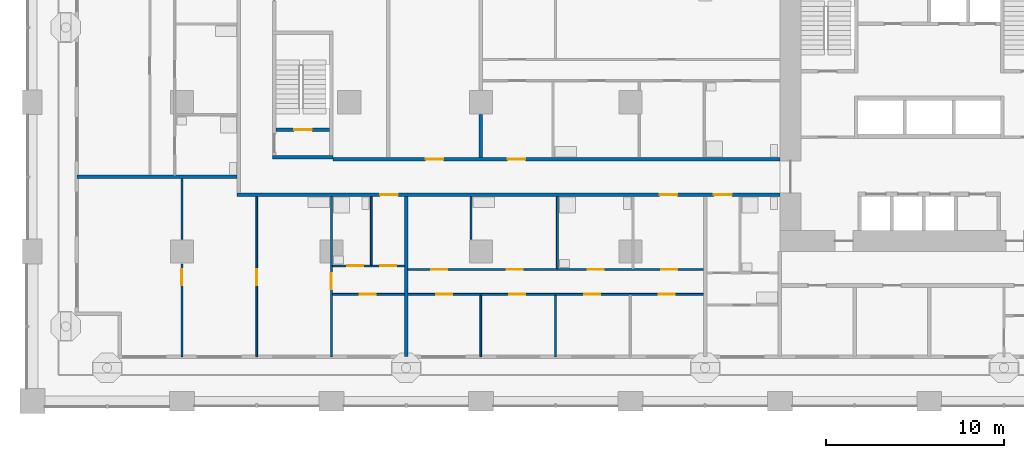
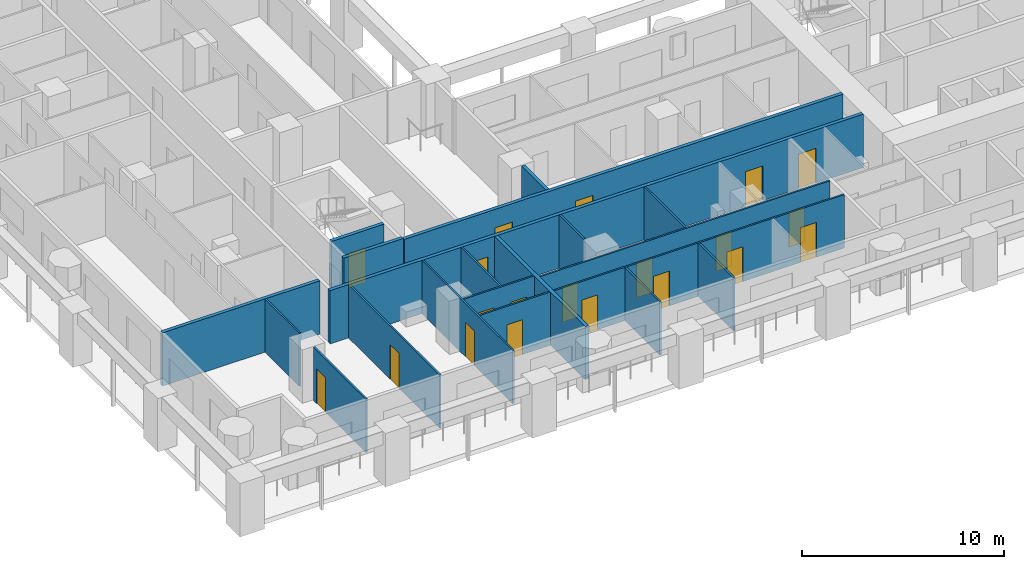
# One storey, part 2 of 19: 20 doors, 19 walls, 20 openings.
"""IFC4 building model written with IfcOpenShell, lengths in metres."""

from ifc_helpers import new_model, si_unit, direction, frame, frame_2d, origin, place, context, subcontext, project, spatial, rectangle, extrude, material, layer, layer_set, type_object, element, fill, save


model = new_model("IFC4")

# Units and contexts
model_context = context("Model", 3, precision=1e-05, world=origin(), true_north=direction((0.0, 1.0)))
body_context = subcontext(model_context, "Body", "Model", "MODEL_VIEW")
ifc_project = project(units=[si_unit("LENGTHUNIT", "METRE"), si_unit("AREAUNIT", "SQUARE_METRE"), si_unit("VOLUMEUNIT", "CUBIC_METRE"), si_unit("PLANEANGLEUNIT", "RADIAN"), si_unit("MASSUNIT", "GRAM", prefix="KILO")], contexts=[model_context])

# Site, building, storey
site_placement = place(None, origin())
site = spatial("IfcSite", under=ifc_project, at=site_placement, CompositionType="ELEMENT")
building_placement = place(site_placement, origin())
building = spatial("IfcBuilding", under=site, at=building_placement, Name="Vermilion Gate Residences", CompositionType="ELEMENT")
storey_placement = place(building_placement, frame((0.0, 0.0, 28.699951171875)))
storey = spatial("IfcBuildingStorey", under=building, at=storey_placement, Name="L05", CompositionType="ELEMENT", Elevation=28.699951171875)

# Wall, openings, doors
ifc_material_1 = material(Name="Plasterboard on steel studs", Category="steel")
ifc_layer_1 = layer(ifc_material_1, 0.10009765625)
ifc_layer_set_1 = layer_set([ifc_layer_1], Name="PARTITION 100")
wall_type_1 = type_object("IfcWallType", Name="PARTITION 100", PredefinedType="PARTITIONING", material=ifc_layer_set_1)
wall_1_placement = place(storey_placement, frame((16.85009765625, 6.0, 0.0), z_axis=(0.0, 0.0, 1.0), x_axis=(1.0, 0.0, 0.0)))
wall_1 = element("IfcWall", 1, at=wall_1_placement, inside=storey, type_object=wall_type_1, Name="Partition", PredefinedType="PARTITIONING", context=body_context, shape_type="SweptSolid", body=[
    extrude(rectangle(XDim=20.849853515625, YDim=0.10009765625, at=frame_2d((10.4248046875, 0.0))), origin(), (0.0, 0.0, 1.0), 3.219970703125),
])
opening_1_placement = place(wall_1_placement, frame((1.550048828125, 0.0, 0.0)))
opening_1 = element("IfcOpeningElement", 2, at=opening_1_placement, cuts=wall_1, Name="Opening DA04004", PredefinedType="OPENING", context=body_context, shape_type="SweptSolid", body=[
    extrude(rectangle(XDim=0.89990234375, YDim=2.10009765625, at=frame_2d((0.449951171875, 1.050048828125))), frame((0.0, 0.06005859375, 0.0), z_axis=(0.0, -1.0, 0.0), x_axis=(1.0, 0.0, 0.0)), (0.0, 0.0, 1.0), 0.1201171875),
])
opening_2_placement = place(wall_1_placement, frame((5.85009765625, 0.0, 0.0)))
opening_2 = element("IfcOpeningElement", 3, at=opening_2_placement, cuts=wall_1, Name="Opening DA04005", PredefinedType="OPENING", context=body_context, shape_type="SweptSolid", body=[
    extrude(rectangle(XDim=0.89990234375, YDim=2.10009765625, at=frame_2d((0.449951171875, 1.050048828125))), frame((0.0, 0.06005859375, 0.0), z_axis=(0.0, -1.0, 0.0), x_axis=(1.0, 0.0, 0.0)), (0.0, 0.0, 1.0), 0.1201171875),
])
opening_3_placement = place(wall_1_placement, frame((9.949951171875, 0.0, 0.0)))
opening_3 = element("IfcOpeningElement", 4, at=opening_3_placement, cuts=wall_1, Name="Opening DA04006", PredefinedType="OPENING", context=body_context, shape_type="SweptSolid", body=[
    extrude(rectangle(XDim=0.89990234375, YDim=2.10009765625, at=frame_2d((0.449951171875, 1.050048828125))), frame((0.0, 0.06005859375, 0.0), z_axis=(0.0, -1.0, 0.0), x_axis=(1.0, 0.0, 0.0)), (0.0, 0.0, 1.0), 0.1201171875),
])
opening_4_placement = place(wall_1_placement, frame((14.14990234375, 0.0, 0.0)))
opening_4 = element("IfcOpeningElement", 5, at=opening_4_placement, cuts=wall_1, Name="Opening DA04007", PredefinedType="OPENING", context=body_context, shape_type="SweptSolid", body=[
    extrude(rectangle(XDim=0.89990234375, YDim=2.10009765625, at=frame_2d((0.449951171875, 1.050048828125))), frame((0.0, 0.06005859375, 0.0), z_axis=(0.0, -1.0, 0.0), x_axis=(1.0, 0.0, 0.0)), (0.0, 0.0, 1.0), 0.1201171875),
])
opening_5_placement = place(wall_1_placement, frame((18.35009765625, 0.0, 0.0)))
opening_5 = element("IfcOpeningElement", 6, at=opening_5_placement, cuts=wall_1, Name="Opening DA04008", PredefinedType="OPENING", context=body_context, shape_type="SweptSolid", body=[
    extrude(rectangle(XDim=0.89990234375, YDim=2.10009765625, at=frame_2d((0.449951171875, 1.050048828125))), frame((0.0, 0.06005859375, 0.0), z_axis=(0.0, -1.0, 0.0), x_axis=(1.0, 0.0, 0.0)), (0.0, 0.0, 1.0), 0.1201171875),
])
ifc_material_2 = material(Name="Timber", Category="wood")
door_type_1 = type_object("IfcDoorType", Name="INTERIOR DOOR 900 X 2100", OperationType="SINGLE_SWING_LEFT", PredefinedType="DOOR", material=ifc_material_2)
door_1_placement = place(opening_1_placement, frame((0.89990234375, 0.0, 0.0), z_axis=(0.0, 0.0, 1.0), x_axis=(-1.0, 0.0, 0.0)))
door_1 = element("IfcDoor", 7, at=door_1_placement, inside=storey, type_object=door_type_1, Name="Interior door", OperationType="SINGLE_SWING_RIGHT", OverallHeight=2.10009765625, OverallWidth=0.89990234375, PredefinedType="DOOR", context=body_context, shape_type="SweptSolid", body=[
    extrude(rectangle(XDim=0.89990234375, YDim=2.10009765625, at=frame_2d((0.449951171875, 1.050048828125))), frame((0.0, 0.02490234375, 0.0), z_axis=(0.0, -1.0, 0.0), x_axis=(1.0, 0.0, 0.0)), (0.0, 0.0, 1.0), 0.050048828125),
])
fill(opening_1, door_1)
door_2_placement = place(opening_2_placement, frame((0.89990234375, 0.0, 0.0), z_axis=(0.0, 0.0, 1.0), x_axis=(-1.0, 0.0, 0.0)))
door_2 = element("IfcDoor", 8, at=door_2_placement, inside=storey, type_object=door_type_1, Name="Interior door", OperationType="SINGLE_SWING_LEFT", OverallHeight=2.10009765625, OverallWidth=0.89990234375, PredefinedType="DOOR", context=body_context, shape_type="SweptSolid", body=[
    extrude(rectangle(XDim=0.89990234375, YDim=2.10009765625, at=frame_2d((0.449951171875, 1.050048828125))), frame((0.0, 0.02490234375, 0.0), z_axis=(0.0, -1.0, 0.0), x_axis=(1.0, 0.0, 0.0)), (0.0, 0.0, 1.0), 0.050048828125),
])
fill(opening_2, door_2)
door_3_placement = place(opening_3_placement, frame((0.89990234375, 0.0, 0.0), z_axis=(0.0, 0.0, 1.0), x_axis=(-1.0, 0.0, 0.0)))
door_3 = element("IfcDoor", 9, at=door_3_placement, inside=storey, type_object=door_type_1, Name="Interior door", OperationType="SINGLE_SWING_RIGHT", OverallHeight=2.10009765625, OverallWidth=0.89990234375, PredefinedType="DOOR", context=body_context, shape_type="SweptSolid", body=[
    extrude(rectangle(XDim=0.89990234375, YDim=2.10009765625, at=frame_2d((0.449951171875, 1.050048828125))), frame((0.0, 0.02490234375, 0.0), z_axis=(0.0, -1.0, 0.0), x_axis=(1.0, 0.0, 0.0)), (0.0, 0.0, 1.0), 0.050048828125),
])
fill(opening_3, door_3)
door_4_placement = place(opening_4_placement, frame((0.89990234375, 0.0, 0.0), z_axis=(0.0, 0.0, 1.0), x_axis=(-1.0, 0.0, 0.0)))
door_4 = element("IfcDoor", 10, at=door_4_placement, inside=storey, type_object=door_type_1, Name="Interior door", OperationType="SINGLE_SWING_RIGHT", OverallHeight=2.10009765625, OverallWidth=0.89990234375, PredefinedType="DOOR", context=body_context, shape_type="SweptSolid", body=[
    extrude(rectangle(XDim=0.89990234375, YDim=2.10009765625, at=frame_2d((0.449951171875, 1.050048828125))), frame((0.0, 0.02490234375, 0.0), z_axis=(0.0, -1.0, 0.0), x_axis=(1.0, 0.0, 0.0)), (0.0, 0.0, 1.0), 0.050048828125),
])
fill(opening_4, door_4)
door_5_placement = place(opening_5_placement, frame((0.89990234375, 0.0, 0.0), z_axis=(0.0, 0.0, 1.0), x_axis=(-1.0, 0.0, 0.0)))
door_5 = element("IfcDoor", 11, at=door_5_placement, inside=storey, type_object=door_type_1, Name="Interior door", OperationType="SINGLE_SWING_RIGHT", OverallHeight=2.10009765625, OverallWidth=0.89990234375, PredefinedType="DOOR", context=body_context, shape_type="SweptSolid", body=[
    extrude(rectangle(XDim=0.89990234375, YDim=2.10009765625, at=frame_2d((0.449951171875, 1.050048828125))), frame((0.0, 0.02490234375, 0.0), z_axis=(0.0, -1.0, 0.0), x_axis=(1.0, 0.0, 0.0)), (0.0, 0.0, 1.0), 0.050048828125),
])
fill(opening_5, door_5)

wall_2_placement = place(storey_placement, frame((21.10009765625, 7.39990234375, 0.0), z_axis=(0.0, 0.0, 1.0), x_axis=(1.0, 0.0, 0.0)))
wall_2 = element("IfcWall", 12, at=wall_2_placement, inside=storey, type_object=wall_type_1, Name="Partition", PredefinedType="PARTITIONING", context=body_context, shape_type="SweptSolid", body=[
    extrude(rectangle(XDim=16.599853515625, YDim=0.10009765625, at=frame_2d((8.2998046875, 0.0))), origin(), (0.0, 0.0, 1.0), 3.219970703125),
])
opening_6_placement = place(wall_2_placement, frame((14.25, 0.0, 0.0)))
opening_6 = element("IfcOpeningElement", 13, at=opening_6_placement, cuts=wall_2, Name="Opening DA04015", PredefinedType="OPENING", context=body_context, shape_type="SweptSolid", body=[
    extrude(rectangle(XDim=0.89990234375, YDim=2.10009765625, at=frame_2d((0.449951171875, 1.050048828125))), frame((0.0, 0.06005859375, 0.0), z_axis=(0.0, -1.0, 0.0), x_axis=(1.0, 0.0, 0.0)), (0.0, 0.0, 1.0), 0.1201171875),
])
opening_7_placement = place(wall_2_placement, frame((1.300048828125, 0.0, 0.0)))
opening_7 = element("IfcOpeningElement", 14, at=opening_7_placement, cuts=wall_2, Name="Opening DA04016", PredefinedType="OPENING", context=body_context, shape_type="SweptSolid", body=[
    extrude(rectangle(XDim=0.89990234375, YDim=2.10009765625, at=frame_2d((0.449951171875, 1.050048828125))), frame((0.0, 0.06005859375, 0.0), z_axis=(0.0, -1.0, 0.0), x_axis=(1.0, 0.0, 0.0)), (0.0, 0.0, 1.0), 0.1201171875),
])
opening_8_placement = place(wall_2_placement, frame((5.550048828125, 0.0, 0.0)))
opening_8 = element("IfcOpeningElement", 15, at=opening_8_placement, cuts=wall_2, Name="Opening DA04017", PredefinedType="OPENING", context=body_context, shape_type="SweptSolid", body=[
    extrude(rectangle(XDim=0.89990234375, YDim=2.10009765625, at=frame_2d((0.449951171875, 1.050048828125))), frame((0.0, 0.06005859375, 0.0), z_axis=(0.0, -1.0, 0.0), x_axis=(1.0, 0.0, 0.0)), (0.0, 0.0, 1.0), 0.1201171875),
])
opening_9_placement = place(wall_2_placement, frame((10.10009765625, 0.0, 0.0)))
opening_9 = element("IfcOpeningElement", 16, at=opening_9_placement, cuts=wall_2, Name="Opening DA04018", PredefinedType="OPENING", context=body_context, shape_type="SweptSolid", body=[
    extrude(rectangle(XDim=0.89990234375, YDim=2.10009765625, at=frame_2d((0.449951171875, 1.050048828125))), frame((0.0, 0.06005859375, 0.0), z_axis=(0.0, -1.0, 0.0), x_axis=(1.0, 0.0, 0.0)), (0.0, 0.0, 1.0), 0.1201171875),
])
door_6_placement = place(opening_6_placement, origin())
door_6 = element("IfcDoor", 17, at=door_6_placement, inside=storey, type_object=door_type_1, Name="Interior door", OperationType="SINGLE_SWING_RIGHT", OverallHeight=2.10009765625, OverallWidth=0.89990234375, PredefinedType="DOOR", context=body_context, shape_type="SweptSolid", body=[
    extrude(rectangle(XDim=0.89990234375, YDim=2.10009765625, at=frame_2d((0.449951171875, 1.050048828125))), frame((0.0, 0.02490234375, 0.0), z_axis=(0.0, -1.0, 0.0), x_axis=(1.0, 0.0, 0.0)), (0.0, 0.0, 1.0), 0.050048828125),
])
fill(opening_6, door_6)
door_7_placement = place(opening_7_placement, origin())
door_7 = element("IfcDoor", 18, at=door_7_placement, inside=storey, type_object=door_type_1, Name="Interior door", OperationType="SINGLE_SWING_LEFT", OverallHeight=2.10009765625, OverallWidth=0.89990234375, PredefinedType="DOOR", context=body_context, shape_type="SweptSolid", body=[
    extrude(rectangle(XDim=0.89990234375, YDim=2.10009765625, at=frame_2d((0.449951171875, 1.050048828125))), frame((0.0, 0.02490234375, 0.0), z_axis=(0.0, -1.0, 0.0), x_axis=(1.0, 0.0, 0.0)), (0.0, 0.0, 1.0), 0.050048828125),
])
fill(opening_7, door_7)
door_8_placement = place(opening_8_placement, origin())
door_8 = element("IfcDoor", 19, at=door_8_placement, inside=storey, type_object=door_type_1, Name="Interior door", OperationType="SINGLE_SWING_RIGHT", OverallHeight=2.10009765625, OverallWidth=0.89990234375, PredefinedType="DOOR", context=body_context, shape_type="SweptSolid", body=[
    extrude(rectangle(XDim=0.89990234375, YDim=2.10009765625, at=frame_2d((0.449951171875, 1.050048828125))), frame((0.0, 0.02490234375, 0.0), z_axis=(0.0, -1.0, 0.0), x_axis=(1.0, 0.0, 0.0)), (0.0, 0.0, 1.0), 0.050048828125),
])
fill(opening_8, door_8)
door_9_placement = place(opening_9_placement, origin())
door_9 = element("IfcDoor", 20, at=door_9_placement, inside=storey, type_object=door_type_1, Name="Interior door", OperationType="SINGLE_SWING_LEFT", OverallHeight=2.10009765625, OverallWidth=0.89990234375, PredefinedType="DOOR", context=body_context, shape_type="SweptSolid", body=[
    extrude(rectangle(XDim=0.89990234375, YDim=2.10009765625, at=frame_2d((0.449951171875, 1.050048828125))), frame((0.0, 0.02490234375, 0.0), z_axis=(0.0, -1.0, 0.0), x_axis=(1.0, 0.0, 0.0)), (0.0, 0.0, 1.0), 0.050048828125),
])
fill(opening_9, door_9)

wall_3_placement = place(storey_placement, frame((16.85009765625, 7.60009765625, 0.0), z_axis=(0.0, 0.0, 1.0), x_axis=(1.0, 0.0, 0.0)))
wall_3 = element("IfcWall", 21, at=wall_3_placement, inside=storey, type_object=wall_type_1, Name="Partition", PredefinedType="PARTITIONING", context=body_context, shape_type="SweptSolid", body=[
    extrude(rectangle(XDim=4.0498046875, YDim=0.10009765625, at=frame_2d((2.02490234375, 0.0))), origin(), (0.0, 0.0, 1.0), 3.219970703125),
])
opening_10_placement = place(wall_3_placement, frame((2.68994140625, 0.0, 0.0)))
opening_10 = element("IfcOpeningElement", 22, at=opening_10_placement, cuts=wall_3, Name="Opening DA04019", PredefinedType="OPENING", context=body_context, shape_type="SweptSolid", body=[
    extrude(rectangle(XDim=0.89990234375, YDim=2.10009765625, at=frame_2d((0.449951171875, 1.050048828125))), frame((0.0, 0.06005859375, 0.0), z_axis=(0.0, -1.0, 0.0), x_axis=(1.0, 0.0, 0.0)), (0.0, 0.0, 1.0), 0.1201171875),
])
opening_11_placement = place(wall_3_placement, frame((0.85009765625, 0.0, 0.0)))
opening_11 = element("IfcOpeningElement", 23, at=opening_11_placement, cuts=wall_3, Name="Opening DA04020", PredefinedType="OPENING", context=body_context, shape_type="SweptSolid", body=[
    extrude(rectangle(XDim=0.89990234375, YDim=2.10009765625, at=frame_2d((0.449951171875, 1.050048828125))), frame((0.0, 0.06005859375, 0.0), z_axis=(0.0, -1.0, 0.0), x_axis=(1.0, 0.0, 0.0)), (0.0, 0.0, 1.0), 0.1201171875),
])
door_10_placement = place(opening_10_placement, frame((0.89990234375, 0.0, 0.0), z_axis=(0.0, 0.0, 1.0), x_axis=(-1.0, 0.0, 0.0)))
door_10 = element("IfcDoor", 24, at=door_10_placement, inside=storey, type_object=door_type_1, Name="Interior door", OperationType="SINGLE_SWING_LEFT", OverallHeight=2.10009765625, OverallWidth=0.89990234375, PredefinedType="DOOR", context=body_context, shape_type="SweptSolid", body=[
    extrude(rectangle(XDim=0.89990234375, YDim=2.10009765625, at=frame_2d((0.449951171875, 1.050048828125))), frame((0.0, 0.02490234375, 0.0), z_axis=(0.0, -1.0, 0.0), x_axis=(1.0, 0.0, 0.0)), (0.0, 0.0, 1.0), 0.050048828125),
])
fill(opening_10, door_10)
door_11_placement = place(opening_11_placement, origin())
door_11 = element("IfcDoor", 25, at=door_11_placement, inside=storey, type_object=door_type_1, Name="Interior door", OperationType="SINGLE_SWING_LEFT", OverallHeight=2.10009765625, OverallWidth=0.89990234375, PredefinedType="DOOR", context=body_context, shape_type="SweptSolid", body=[
    extrude(rectangle(XDim=0.89990234375, YDim=2.10009765625, at=frame_2d((0.449951171875, 1.050048828125))), frame((0.0, 0.02490234375, 0.0), z_axis=(0.0, -1.0, 0.0), x_axis=(1.0, 0.0, 0.0)), (0.0, 0.0, 1.0), 0.050048828125),
])
fill(opening_11, door_11)

# Wall, opening, door
wall_4_placement = place(storey_placement, frame((8.39990234375, 2.5, 0.0), z_axis=(0.0, 0.0, 1.0), x_axis=(0.0, 1.0, 0.0)))
wall_4 = element("IfcWall", 26, at=wall_4_placement, inside=storey, type_object=wall_type_1, Name="Partition", PredefinedType="PARTITIONING", context=body_context, shape_type="SweptSolid", body=[
    extrude(rectangle(XDim=5.199951171875, YDim=0.10009765625, at=frame_2d((2.60009765625, 0.0))), origin(), (0.0, 0.0, 1.0), 3.219970703125),
])
opening_12_placement = place(wall_4_placement, frame((4.0, 0.0, 0.0)))
opening_12 = element("IfcOpeningElement", 27, at=opening_12_placement, cuts=wall_4, Name="Opening DA04050", PredefinedType="OPENING", context=body_context, shape_type="SweptSolid", body=[
    extrude(rectangle(XDim=0.89990234375, YDim=2.10009765625, at=frame_2d((0.449951171875, 1.050048828125))), frame((0.0, 0.06005859375, 0.0), z_axis=(0.0, -1.0, 0.0), x_axis=(1.0, 0.0, 0.0)), (0.0, 0.0, 1.0), 0.1201171875),
])
door_12_placement = place(opening_12_placement, frame((0.89990234375, 0.0, 0.0), z_axis=(0.0, 0.0, 1.0), x_axis=(-1.0, 0.0, 0.0)))
door_12 = element("IfcDoor", 28, at=door_12_placement, inside=storey, type_object=door_type_1, Name="Interior door", OperationType="SINGLE_SWING_LEFT", OverallHeight=2.10009765625, OverallWidth=0.89990234375, PredefinedType="DOOR", context=body_context, shape_type="SweptSolid", body=[
    extrude(rectangle(XDim=0.89990234375, YDim=2.10009765625, at=frame_2d((0.449951171875, 1.050048828125))), frame((0.0, 0.02490234375, 0.0), z_axis=(0.0, -1.0, 0.0), x_axis=(1.0, 0.0, 0.0)), (0.0, 0.0, 1.0), 0.050048828125),
])
fill(opening_12, door_12)

# Wall
wall_5_placement = place(storey_placement, frame((8.39990234375, 9.10009765625, 0.0), z_axis=(0.0, 0.0, 1.0), x_axis=(0.0, 1.0, 0.0)))
element("IfcWall", 29, at=wall_5_placement, inside=storey, type_object=wall_type_1, Name="Partition", PredefinedType="PARTITIONING", context=body_context, shape_type="SweptSolid", body=[
    extrude(rectangle(XDim=3.39990234375, YDim=0.10009765625, at=frame_2d((1.699951171875, 0.0))), origin(), (0.0, 0.0, 1.0), 3.219970703125),
])

# Wall, opening, door
wall_6_placement = place(storey_placement, frame((12.60009765625, 2.5, 0.0), z_axis=(0.0, 0.0, 1.0), x_axis=(0.0, 1.0, 0.0)))
wall_6 = element("IfcWall", 30, at=wall_6_placement, inside=storey, type_object=wall_type_1, Name="Partition", PredefinedType="PARTITIONING", context=body_context, shape_type="SweptSolid", body=[
    extrude(rectangle(XDim=9.0, YDim=0.10009765625, at=frame_2d((4.5, 0.0))), origin(), (0.0, 0.0, 1.0), 3.219970703125),
])
opening_13_placement = place(wall_6_placement, frame((4.0, 0.0, 0.0)))
opening_13 = element("IfcOpeningElement", 31, at=opening_13_placement, cuts=wall_6, Name="Opening DA04055", PredefinedType="OPENING", context=body_context, shape_type="SweptSolid", body=[
    extrude(rectangle(XDim=0.89990234375, YDim=2.10009765625, at=frame_2d((0.449951171875, 1.050048828125))), frame((0.0, 0.06005859375, 0.0), z_axis=(0.0, -1.0, 0.0), x_axis=(1.0, 0.0, 0.0)), (0.0, 0.0, 1.0), 0.1201171875),
])
door_13_placement = place(opening_13_placement, origin())
door_13 = element("IfcDoor", 32, at=door_13_placement, inside=storey, type_object=door_type_1, Name="Interior door", OperationType="SINGLE_SWING_LEFT", OverallHeight=2.10009765625, OverallWidth=0.89990234375, PredefinedType="DOOR", context=body_context, shape_type="SweptSolid", body=[
    extrude(rectangle(XDim=0.89990234375, YDim=2.10009765625, at=frame_2d((0.449951171875, 1.050048828125))), frame((0.0, 0.02490234375, 0.0), z_axis=(0.0, -1.0, 0.0), x_axis=(1.0, 0.0, 0.0)), (0.0, 0.0, 1.0), 0.050048828125),
])
fill(opening_13, door_13)

wall_7_placement = place(storey_placement, frame((16.800048828125, 2.5, 0.0), z_axis=(0.0, 0.0, 1.0), x_axis=(0.0, 1.0, 0.0)))
wall_7 = element("IfcWall", 33, at=wall_7_placement, inside=storey, type_object=wall_type_1, Name="Partition", PredefinedType="PARTITIONING", context=body_context, shape_type="SweptSolid", body=[
    extrude(rectangle(XDim=9.0, YDim=0.10009765625, at=frame_2d((4.5, 0.0))), origin(), (0.0, 0.0, 1.0), 3.219970703125),
])
opening_14_placement = place(wall_7_placement, frame((3.800048828125, 0.0, 0.0)))
opening_14 = element("IfcOpeningElement", 34, at=opening_14_placement, cuts=wall_7, Name="Opening DA04058", PredefinedType="OPENING", context=body_context, shape_type="SweptSolid", body=[
    extrude(rectangle(XDim=0.89990234375, YDim=2.10009765625, at=frame_2d((0.449951171875, 1.050048828125))), frame((0.0, 0.06005859375, 0.0), z_axis=(0.0, -1.0, 0.0), x_axis=(1.0, 0.0, 0.0)), (0.0, 0.0, 1.0), 0.1201171875),
])
door_14_placement = place(opening_14_placement, origin())
door_14 = element("IfcDoor", 35, at=door_14_placement, inside=storey, type_object=door_type_1, Name="Interior door", OperationType="SINGLE_SWING_RIGHT", OverallHeight=2.10009765625, OverallWidth=0.89990234375, PredefinedType="DOOR", context=body_context, shape_type="SweptSolid", body=[
    extrude(rectangle(XDim=0.89990234375, YDim=2.10009765625, at=frame_2d((0.449951171875, 1.050048828125))), frame((0.0, 0.02490234375, 0.0), z_axis=(0.0, -1.0, 0.0), x_axis=(1.0, 0.0, 0.0)), (0.0, 0.0, 1.0), 0.050048828125),
])
fill(opening_14, door_14)

# Walls
wall_8_placement = place(storey_placement, frame((19.0400390625, 7.64990234375, 0.0), z_axis=(0.0, 0.0, 1.0), x_axis=(0.0, 1.0, 0.0)))
element("IfcWall", 36, at=wall_8_placement, inside=storey, type_object=wall_type_1, Name="Partition", PredefinedType="PARTITIONING", context=body_context, shape_type="SweptSolid", body=[
    extrude(rectangle(XDim=3.85009765625, YDim=0.10009765625, at=frame_2d((1.925048828125, 0.0))), origin(), (0.0, 0.0, 1.0), 3.219970703125),
])
wall_9_placement = place(storey_placement, frame((24.64990234375, 9.10009765625, 0.0), z_axis=(0.0, 0.0, 1.0), x_axis=(0.0, 1.0, 0.0)))
element("IfcWall", 37, at=wall_9_placement, inside=storey, type_object=wall_type_1, Name="Partition", PredefinedType="PARTITIONING", context=body_context, shape_type="SweptSolid", body=[
    extrude(rectangle(XDim=2.39990234375, YDim=0.10009765625, at=frame_2d((1.199951171875, 0.0))), origin(), (0.0, 0.0, 1.0), 3.219970703125),
])
for number, where, z_axis, x_axis, name in (
    (38, (25.199951171875, 2.5, 0.0), (0.0, 0.0, 1.0), (0.0, 1.0, 0.0), "Partition"),
    (39, (29.39990234375, 2.5, 0.0), (0.0, 0.0, 1.0), (0.0, 1.0, 0.0), "Partition"),
):
    element("IfcWall", number, at=place(storey_placement, frame(where, z_axis=z_axis, x_axis=x_axis)), inside=storey, type_object=wall_type_1, Name=name, PredefinedType="PARTITIONING", context=body_context, shape_type="SweptSolid", body=[
        extrude(rectangle(XDim=3.449951171875, YDim=0.10009765625, at=frame_2d((1.72509765625, 0.0))), origin(), (0.0, 0.0, 1.0), 3.219970703125),
    ])
wall_10_placement = place(storey_placement, frame((29.5, 7.449951171875, 0.0), z_axis=(0.0, 0.0, 1.0), x_axis=(0.0, 1.0, 0.0)))
element("IfcWall", 40, at=wall_10_placement, inside=storey, type_object=wall_type_1, Name="Partition", PredefinedType="PARTITIONING", context=body_context, shape_type="SweptSolid", body=[
    extrude(rectangle(XDim=4.050048828125, YDim=0.10009765625, at=frame_2d((2.02490234375, 0.0))), origin(), (0.0, 0.0, 1.0), 3.219970703125),
])

# Wall, openings, doors
ifc_material_3 = material(Name="Fire-rated plasterboard on steel studs", Category="steel")
ifc_layer_2 = layer(ifc_material_3, 0.199951171875)
ifc_layer_set_2 = layer_set([ifc_layer_2], Name="PARTY WALL 200 EI 120")
wall_type_2 = type_object("IfcWallType", Name="PARTY WALL 200 EI 120", PredefinedType="PARTITIONING", material=ifc_layer_set_2)
wall_11_placement = place(storey_placement, frame((11.5, 11.60009765625, 0.0), z_axis=(0.0, 0.0, 1.0), x_axis=(1.0, 0.0, 0.0)))
wall_11 = element("IfcWall", 41, at=wall_11_placement, inside=storey, type_object=wall_type_2, Name="Party and corridor wall", PredefinedType="PARTITIONING", context=body_context, shape_type="SweptSolid", body=[
    extrude(rectangle(XDim=30.5, YDim=0.199951171875, at=frame_2d((15.25, 0.0))), origin(), (0.0, 0.0, 1.0), 3.219970703125),
])
opening_15_placement = place(wall_11_placement, frame((8.0400390625, 0.0, 0.0)))
opening_15 = element("IfcOpeningElement", 42, at=opening_15_placement, cuts=wall_11, Name="Opening DA04021", PredefinedType="OPENING", context=body_context, shape_type="SweptSolid", body=[
    extrude(rectangle(XDim=1.0, YDim=2.10009765625, at=frame_2d((0.5, 1.050048828125))), frame((0.0, 0.10986328125, 0.0), z_axis=(0.0, -1.0, 0.0), x_axis=(1.0, 0.0, 0.0)), (0.0, 0.0, 1.0), 0.219970703125),
])
opening_16_placement = place(wall_11_placement, frame((23.75, 0.0, 0.0)))
opening_16 = element("IfcOpeningElement", 43, at=opening_16_placement, cuts=wall_11, Name="Opening DA04022", PredefinedType="OPENING", context=body_context, shape_type="SweptSolid", body=[
    extrude(rectangle(XDim=1.0, YDim=2.10009765625, at=frame_2d((0.5, 1.050048828125))), frame((0.0, 0.10986328125, 0.0), z_axis=(0.0, -1.0, 0.0), x_axis=(1.0, 0.0, 0.0)), (0.0, 0.0, 1.0), 0.219970703125),
])
opening_17_placement = place(wall_11_placement, frame((26.800048828125, 0.0, 0.0)))
opening_17 = element("IfcOpeningElement", 44, at=opening_17_placement, cuts=wall_11, Name="Opening DA04023", PredefinedType="OPENING", context=body_context, shape_type="SweptSolid", body=[
    extrude(rectangle(XDim=1.0, YDim=2.10009765625, at=frame_2d((0.5, 1.050048828125))), frame((0.0, 0.10986328125, 0.0), z_axis=(0.0, -1.0, 0.0), x_axis=(1.0, 0.0, 0.0)), (0.0, 0.0, 1.0), 0.219970703125),
])
ifc_material_4 = material(Name="Steel", Category="steel")
door_type_2 = type_object("IfcDoorType", Name="ENTRANCE DOOR 1000 X 2100 FD30", OperationType="SINGLE_SWING_LEFT", PredefinedType="DOOR", material=ifc_material_4)
door_15_placement = place(opening_15_placement, frame((1.0, 0.0, 0.0), z_axis=(0.0, 0.0, 1.0), x_axis=(-1.0, 0.0, 0.0)))
door_15 = element("IfcDoor", 45, at=door_15_placement, inside=storey, type_object=door_type_2, Name="Entrance door", OperationType="SINGLE_SWING_LEFT", OverallHeight=2.10009765625, OverallWidth=1.0, PredefinedType="DOOR", context=body_context, shape_type="SweptSolid", body=[
    extrude(rectangle(XDim=1.0, YDim=2.10009765625, at=frame_2d((0.5, 1.050048828125))), frame((0.0, 0.02490234375, 0.0), z_axis=(0.0, -1.0, 0.0), x_axis=(1.0, 0.0, 0.0)), (0.0, 0.0, 1.0), 0.050048828125),
])
fill(opening_15, door_15)
door_16_placement = place(opening_16_placement, frame((1.0, 0.0, 0.0), z_axis=(0.0, 0.0, 1.0), x_axis=(-1.0, 0.0, 0.0)))
door_16 = element("IfcDoor", 46, at=door_16_placement, inside=storey, type_object=door_type_2, Name="Entrance door", OperationType="SINGLE_SWING_LEFT", OverallHeight=2.10009765625, OverallWidth=1.0, PredefinedType="DOOR", context=body_context, shape_type="SweptSolid", body=[
    extrude(rectangle(XDim=1.0, YDim=2.10009765625, at=frame_2d((0.5, 1.050048828125))), frame((0.0, 0.02490234375, 0.0), z_axis=(0.0, -1.0, 0.0), x_axis=(1.0, 0.0, 0.0)), (0.0, 0.0, 1.0), 0.050048828125),
])
fill(opening_16, door_16)
door_17_placement = place(opening_17_placement, frame((1.0, 0.0, 0.0), z_axis=(0.0, 0.0, 1.0), x_axis=(-1.0, 0.0, 0.0)))
door_17 = element("IfcDoor", 47, at=door_17_placement, inside=storey, type_object=door_type_2, Name="Entrance door", OperationType="SINGLE_SWING_RIGHT", OverallHeight=2.10009765625, OverallWidth=1.0, PredefinedType="DOOR", context=body_context, shape_type="SweptSolid", body=[
    extrude(rectangle(XDim=1.0, YDim=2.10009765625, at=frame_2d((0.5, 1.050048828125))), frame((0.0, 0.02490234375, 0.0), z_axis=(0.0, -1.0, 0.0), x_axis=(1.0, 0.0, 0.0)), (0.0, 0.0, 1.0), 0.050048828125),
])
fill(opening_17, door_17)

# Wall
wall_12_placement = place(storey_placement, frame((2.5, 12.60009765625, 0.0), z_axis=(0.0, 0.0, 1.0), x_axis=(1.0, 0.0, 0.0)))
element("IfcWall", 48, at=wall_12_placement, inside=storey, type_object=wall_type_2, Name="Party and corridor wall", PredefinedType="PARTITIONING", context=body_context, shape_type="SweptSolid", body=[
    extrude(rectangle(XDim=9.0, YDim=0.199951171875, at=frame_2d((4.5, 0.0))), origin(), (0.0, 0.0, 1.0), 3.219970703125),
])

# Wall, openings, doors
wall_13_placement = place(storey_placement, frame((16.89990234375, 13.60009765625, 0.0), z_axis=(0.0, 0.0, 1.0), x_axis=(1.0, 0.0, 0.0)))
wall_13 = element("IfcWall", 49, at=wall_13_placement, inside=storey, type_object=wall_type_2, Name="Party and corridor wall", PredefinedType="PARTITIONING", context=body_context, shape_type="SweptSolid", body=[
    extrude(rectangle(XDim=25.10009765625, YDim=0.199951171875, at=frame_2d((12.550048828125, 0.0))), origin(), (0.0, 0.0, 1.0), 3.219970703125),
])
opening_18_placement = place(wall_13_placement, frame((9.800048828125, 0.0, 0.0)))
opening_18 = element("IfcOpeningElement", 50, at=opening_18_placement, cuts=wall_13, Name="Opening DA04024", PredefinedType="OPENING", context=body_context, shape_type="SweptSolid", body=[
    extrude(rectangle(XDim=1.0, YDim=2.10009765625, at=frame_2d((0.5, 1.050048828125))), frame((0.0, 0.10986328125, 0.0), z_axis=(0.0, -1.0, 0.0), x_axis=(1.0, 0.0, 0.0)), (0.0, 0.0, 1.0), 0.219970703125),
])
opening_19_placement = place(wall_13_placement, frame((5.199951171875, 0.0, 0.0)))
opening_19 = element("IfcOpeningElement", 51, at=opening_19_placement, cuts=wall_13, Name="Opening DA04025", PredefinedType="OPENING", context=body_context, shape_type="SweptSolid", body=[
    extrude(rectangle(XDim=1.0, YDim=2.10009765625, at=frame_2d((0.5, 1.050048828125))), frame((0.0, 0.10986328125, 0.0), z_axis=(0.0, -1.0, 0.0), x_axis=(1.0, 0.0, 0.0)), (0.0, 0.0, 1.0), 0.219970703125),
])
door_18_placement = place(opening_18_placement, origin())
door_18 = element("IfcDoor", 52, at=door_18_placement, inside=storey, type_object=door_type_2, Name="Entrance door", OperationType="SINGLE_SWING_LEFT", OverallHeight=2.10009765625, OverallWidth=1.0, PredefinedType="DOOR", context=body_context, shape_type="SweptSolid", body=[
    extrude(rectangle(XDim=1.0, YDim=2.10009765625, at=frame_2d((0.5, 1.050048828125))), frame((0.0, 0.02490234375, 0.0), z_axis=(0.0, -1.0, 0.0), x_axis=(1.0, 0.0, 0.0)), (0.0, 0.0, 1.0), 0.050048828125),
])
fill(opening_18, door_18)
door_19_placement = place(opening_19_placement, origin())
door_19 = element("IfcDoor", 53, at=door_19_placement, inside=storey, type_object=door_type_2, Name="Entrance door", OperationType="SINGLE_SWING_LEFT", OverallHeight=2.10009765625, OverallWidth=1.0, PredefinedType="DOOR", context=body_context, shape_type="SweptSolid", body=[
    extrude(rectangle(XDim=1.0, YDim=2.10009765625, at=frame_2d((0.5, 1.050048828125))), frame((0.0, 0.02490234375, 0.0), z_axis=(0.0, -1.0, 0.0), x_axis=(1.0, 0.0, 0.0)), (0.0, 0.0, 1.0), 0.050048828125),
])
fill(opening_19, door_19)

# Walls
wall_14_placement = place(storey_placement, frame((21.0, 2.5, 0.0), z_axis=(0.0, 0.0, 1.0), x_axis=(0.0, 1.0, 0.0)))
element("IfcWall", 54, at=wall_14_placement, inside=storey, type_object=wall_type_2, Name="Party and corridor wall", PredefinedType="PARTITIONING", context=body_context, shape_type="SweptSolid", body=[
    extrude(rectangle(XDim=9.0, YDim=0.199951171875, at=frame_2d((4.5, 0.0))), origin(), (0.0, 0.0, 1.0), 3.219970703125),
])
wall_15_placement = place(storey_placement, frame((25.199951171875, 13.699951171875, 0.0), z_axis=(0.0, 0.0, 1.0), x_axis=(0.0, 1.0, 0.0)))
element("IfcWall", 55, at=wall_15_placement, inside=storey, type_object=wall_type_2, Name="Party and corridor wall", PredefinedType="PARTITIONING", context=body_context, shape_type="SweptSolid", body=[
    extrude(rectangle(XDim=2.400146484375, YDim=0.199951171875, at=frame_2d((1.2001953125, 0.0))), origin(), (0.0, 0.0, 1.0), 3.219970703125),
])
ifc_material_5 = material(Name="Concrete C60", Category="concrete")
ifc_layer_3 = layer(ifc_material_5, 0.199951171875)
ifc_layer_set_3 = layer_set([ifc_layer_3], Name="RC CORE INTERNAL WALL 200 C60")
wall_type_3 = type_object("IfcWallType", Name="RC CORE INTERNAL WALL 200 C60", PredefinedType="SHEAR", material=ifc_layer_set_3)
wall_16_placement = place(storey_placement, frame((13.5, 13.699951171875, 0.0), z_axis=(0.0, 0.0, 1.0), x_axis=(1.0, 0.0, 0.0)))
element("IfcWall", 56, at=wall_16_placement, inside=storey, type_object=wall_type_3, Name="Core internal wall C05-S", PredefinedType="SHEAR", context=body_context, shape_type="SweptSolid", body=[
    extrude(rectangle(XDim=3.39990234375, YDim=0.199951171875, at=frame_2d((1.699951171875, 0.0))), origin(), (0.0, 0.0, 1.0), 3.219970703125),
])

# Wall, opening, door
wall_17_placement = place(storey_placement, frame((13.699951171875, 15.25, 0.0), z_axis=(0.0, 0.0, 1.0), x_axis=(1.0, 0.0, 0.0)))
wall_17 = element("IfcWall", 57, at=wall_17_placement, inside=storey, type_object=wall_type_3, Name="Core internal wall C05-P", PredefinedType="SHEAR", context=body_context, shape_type="SweptSolid", body=[
    extrude(rectangle(XDim=3.0, YDim=0.199951171875, at=frame_2d((1.5, 0.0))), origin(), (0.0, 0.0, 1.0), 3.219970703125),
])
opening_20_placement = place(wall_17_placement, frame((1.0, 0.0, 0.0)))
opening_20 = element("IfcOpeningElement", 58, at=opening_20_placement, cuts=wall_17, Name="Opening DK05202", PredefinedType="OPENING", context=body_context, shape_type="SweptSolid", body=[
    extrude(rectangle(XDim=1.0, YDim=2.10009765625, at=frame_2d((0.5, 1.050048828125))), frame((0.0, 0.10986328125, 0.0), z_axis=(0.0, -1.0, 0.0), x_axis=(1.0, 0.0, 0.0)), (0.0, 0.0, 1.0), 0.219970703125),
])
ifc_material_6 = material(Name="Steel", Category="steel")
door_type_3 = type_object("IfcDoorType", Name="FIRE DOOR FD60 1000 X 2100", OperationType="SINGLE_SWING_LEFT", PredefinedType="DOOR", material=ifc_material_6)
door_20_placement = place(opening_20_placement, origin())
door_20 = element("IfcDoor", 59, at=door_20_placement, inside=storey, type_object=door_type_3, Name="Stair door C05", OperationType="SINGLE_SWING_LEFT", OverallHeight=2.10009765625, OverallWidth=1.0, PredefinedType="DOOR", context=body_context, shape_type="SweptSolid", body=[
    extrude(rectangle(XDim=1.0, YDim=2.10009765625, at=frame_2d((0.5, 1.050048828125))), frame((0.0, 0.02490234375, 0.0), z_axis=(0.0, -1.0, 0.0), x_axis=(1.0, 0.0, 0.0)), (0.0, 0.0, 1.0), 0.050048828125),
])
fill(opening_20, door_20)

save(model, "model.ifc")
